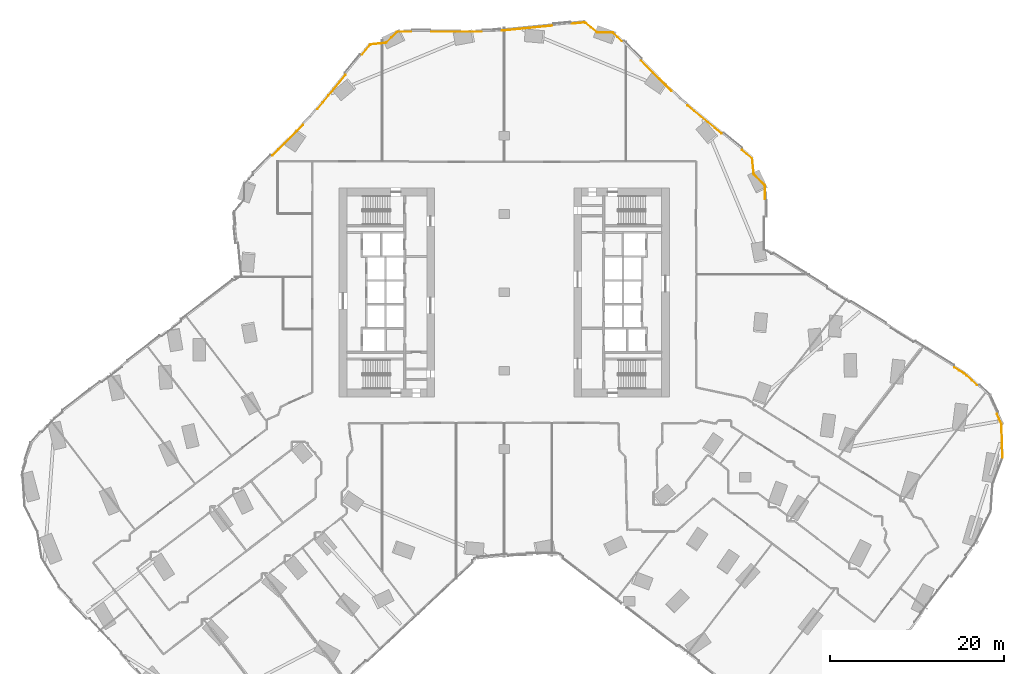
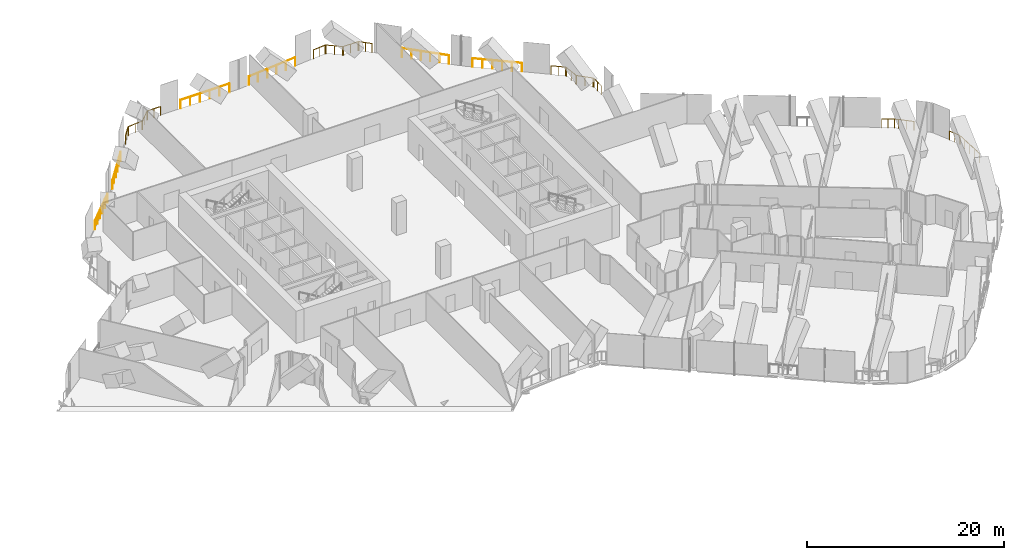
# One storey, part 32 of 32: 11 railings.
"""IFC4 building model written with IfcOpenShell, lengths in metres."""

from ifc_helpers import new_model, si_unit, direction, frame, origin, origin_2d, place, context, subcontext, project, spatial, circle, extrude, material, type_object, element, save


model = new_model("IFC4")

# Units and contexts
model_context = context("Model", 3, precision=1e-05, world=origin(), true_north=direction((0.0, 1.0)))
body_context = subcontext(model_context, "Body", "Model", "MODEL_VIEW")
ifc_project = project(units=[si_unit("LENGTHUNIT", "METRE"), si_unit("AREAUNIT", "SQUARE_METRE"), si_unit("VOLUMEUNIT", "CUBIC_METRE"), si_unit("PLANEANGLEUNIT", "RADIAN"), si_unit("MASSUNIT", "GRAM", prefix="KILO")], contexts=[model_context])

# Site, building, storey
site_placement = place(None, origin())
site = spatial("IfcSite", under=ifc_project, at=site_placement, CompositionType="ELEMENT")
building_placement = place(site_placement, origin())
building = spatial("IfcBuilding", under=site, at=building_placement, Name="Orlundy Tower", CompositionType="ELEMENT")
storey_placement = place(building_placement, frame((0.0, 0.0, 33.300048828125)))
storey = spatial("IfcBuildingStorey", under=building, at=storey_placement, Name="L06", CompositionType="ELEMENT", Elevation=33.300048828125)

# Railings
ifc_material = material(Name="Stainless steel bronze finish", Category="steel")
railing_type = type_object("IfcRailingType", Name="TG1 terrace guard", PredefinedType="GUARDRAIL", material=ifc_material)
railing_1_placement = place(storey_placement, frame((-16.348388671875, 27.317626953125, 0.0)))
element("IfcRailing", 1, at=railing_1_placement, inside=storey, type_object=railing_type, Name="Guard TG-L06-E03", PredefinedType="GUARDRAIL", context=body_context, shape_type="SweptSolid", body=[
    extrude(circle(Radius=0.02490234375, at=origin_2d()), frame((0.0, 0.0, 1.09521484375), z_axis=(0.633775329165, 0.773517182836, 0.0), x_axis=(-0.773517182836, 0.633775329165, 0.0)), (0.0, 0.0, 1.0), 1.458740234375),
    extrude(circle(Radius=0.02490234375, at=origin_2d()), frame((0.924560546875, 1.12841796875, 1.09521484375), z_axis=(0.871628316444, 0.490167397909, 0.0), x_axis=(-0.490167397909, 0.871628316444, 0.0)), (0.0, 0.0, 1.0), 0.12353515625),
    extrude(circle(Radius=0.02490234375, at=origin_2d()), frame((1.0322265625, 1.18896484375, 1.09521484375), z_axis=(0.995131761219, 0.098553426187, 0.0), x_axis=(-0.098553426187, 0.995131761219, 0.0)), (0.0, 0.0, 1.0), 1.704345703125),
    extrude(circle(Radius=0.02490234375, at=origin_2d()), frame((2.728271484375, 1.35693359375, 1.09521484375), z_axis=(0.904475632568, 0.426525298301, 0.0), x_axis=(-0.426525298301, 0.904475632568, 0.0)), (0.0, 0.0, 1.0), 0.080810546875),
    extrude(circle(Radius=0.02490234375, at=origin_2d()), frame((2.80126953125, 1.391357421875, 1.09521484375), z_axis=(0.707106781187, 0.707106781187, 0.0), x_axis=(-0.707106781187, 0.707106781187, 0.0)), (0.0, 0.0, 1.0), 1.70556640625),
    extrude(circle(Radius=0.02490234375, at=origin_2d()), frame((4.00732421875, 2.597412109375, 1.09521484375), z_axis=(0.931446876767, 0.363877336147, 0.0), x_axis=(-0.363877336147, 0.931446876767, 0.0)), (0.0, 0.0, 1.0), 0.12353515625),
    extrude(circle(Radius=0.02490234375, at=origin_2d()), frame((4.122314453125, 2.642333984375, 1.09521484375), z_axis=(1.0, 0.0, 0.0), x_axis=(0.0, 1.0, 0.0)), (0.0, 0.0, 1.0), 1.49365234375),
    extrude(circle(Radius=0.02001953125, at=origin_2d()), origin(), (0.0, 0.0, 1.0), 1.070068359375),
    extrude(circle(Radius=0.02001953125, at=origin_2d()), frame((0.46240234375, 0.564208984375, 0.0)), (0.0, 0.0, 1.0), 1.070068359375),
    extrude(circle(Radius=0.02001953125, at=origin_2d()), frame((0.924560546875, 1.12841796875, 0.0)), (0.0, 0.0, 1.0), 1.070068359375),
    extrude(circle(Radius=0.02001953125, at=origin_2d()), frame((1.0322265625, 1.18896484375, 0.0)), (0.0, 0.0, 1.0), 1.070068359375),
    extrude(circle(Radius=0.02001953125, at=origin_2d()), frame((1.88037109375, 1.27294921875, 0.0)), (0.0, 0.0, 1.0), 1.070068359375),
    extrude(circle(Radius=0.02001953125, at=origin_2d()), frame((2.728271484375, 1.35693359375, 0.0)), (0.0, 0.0, 1.0), 1.070068359375),
    extrude(circle(Radius=0.02001953125, at=origin_2d()), frame((2.80126953125, 1.391357421875, 0.0)), (0.0, 0.0, 1.0), 1.070068359375),
    extrude(circle(Radius=0.02001953125, at=origin_2d()), frame((3.404296875, 1.994384765625, 0.0)), (0.0, 0.0, 1.0), 1.070068359375),
    extrude(circle(Radius=0.02001953125, at=origin_2d()), frame((4.00732421875, 2.597412109375, 0.0)), (0.0, 0.0, 1.0), 1.070068359375),
    extrude(circle(Radius=0.02001953125, at=origin_2d()), frame((4.122314453125, 2.642333984375, 0.0)), (0.0, 0.0, 1.0), 1.070068359375),
    extrude(circle(Radius=0.02001953125, at=origin_2d()), frame((4.869140625, 2.642333984375, 0.0)), (0.0, 0.0, 1.0), 1.070068359375),
    extrude(circle(Radius=0.02001953125, at=origin_2d()), frame((5.615966796875, 2.642333984375, 0.0)), (0.0, 0.0, 1.0), 1.070068359375),
])
railing_2_placement = place(storey_placement, frame((27.317626953125, 16.348388671875, 0.0)))
element("IfcRailing", 2, at=railing_2_placement, inside=storey, type_object=railing_type, Name="Guard TG-L06-E04", PredefinedType="GUARDRAIL", context=body_context, shape_type="SweptSolid", body=[
    extrude(circle(Radius=0.02490234375, at=origin_2d()), frame((0.0, 0.0, 1.09521484375), z_axis=(0.773517182836, -0.633775329165, 0.0), x_axis=(0.633775329165, 0.773517182836, 0.0)), (0.0, 0.0, 1.0), 1.458740234375),
    extrude(circle(Radius=0.02490234375, at=origin_2d()), frame((1.12841796875, -0.924560546875, 1.09521484375), z_axis=(0.490167397909, -0.871628316444, 0.0), x_axis=(0.871628316444, 0.490167397909, 0.0)), (0.0, 0.0, 1.0), 0.12353515625),
    extrude(circle(Radius=0.02490234375, at=origin_2d()), frame((1.18896484375, -1.0322265625, 1.09521484375), z_axis=(0.098553426187, -0.995131761219, 0.0), x_axis=(0.995131761219, 0.098553426187, 0.0)), (0.0, 0.0, 1.0), 1.704345703125),
    extrude(circle(Radius=0.02490234375, at=origin_2d()), frame((1.35693359375, -2.728271484375, 1.09521484375), z_axis=(0.426525298301, -0.904475632568, 0.0), x_axis=(0.904475632568, 0.426525298301, 0.0)), (0.0, 0.0, 1.0), 0.080810546875),
    extrude(circle(Radius=0.02490234375, at=origin_2d()), frame((1.391357421875, -2.80126953125, 1.09521484375), z_axis=(0.707106781187, -0.707106781187, 0.0), x_axis=(0.707106781187, 0.707106781187, 0.0)), (0.0, 0.0, 1.0), 1.70556640625),
    extrude(circle(Radius=0.02490234375, at=origin_2d()), frame((2.597412109375, -4.00732421875, 1.09521484375), z_axis=(0.363877336147, -0.931446876767, 0.0), x_axis=(0.931446876767, 0.363877336147, 0.0)), (0.0, 0.0, 1.0), 0.12353515625),
    extrude(circle(Radius=0.02490234375, at=origin_2d()), frame((2.642333984375, -4.122314453125, 1.09521484375), z_axis=(0.0, -1.0, 0.0), x_axis=(1.0, 0.0, 0.0)), (0.0, 0.0, 1.0), 1.49365234375),
    extrude(circle(Radius=0.02001953125, at=origin_2d()), origin(), (0.0, 0.0, 1.0), 1.070068359375),
    extrude(circle(Radius=0.02001953125, at=origin_2d()), frame((0.564208984375, -0.46240234375, 0.0)), (0.0, 0.0, 1.0), 1.070068359375),
    extrude(circle(Radius=0.02001953125, at=origin_2d()), frame((1.12841796875, -0.924560546875, 0.0)), (0.0, 0.0, 1.0), 1.070068359375),
    extrude(circle(Radius=0.02001953125, at=origin_2d()), frame((1.18896484375, -1.0322265625, 0.0)), (0.0, 0.0, 1.0), 1.070068359375),
    extrude(circle(Radius=0.02001953125, at=origin_2d()), frame((1.27294921875, -1.88037109375, 0.0)), (0.0, 0.0, 1.0), 1.070068359375),
    extrude(circle(Radius=0.02001953125, at=origin_2d()), frame((1.35693359375, -2.728271484375, 0.0)), (0.0, 0.0, 1.0), 1.070068359375),
    extrude(circle(Radius=0.02001953125, at=origin_2d()), frame((1.391357421875, -2.80126953125, 0.0)), (0.0, 0.0, 1.0), 1.070068359375),
    extrude(circle(Radius=0.02001953125, at=origin_2d()), frame((1.994384765625, -3.404296875, 0.0)), (0.0, 0.0, 1.0), 1.070068359375),
    extrude(circle(Radius=0.02001953125, at=origin_2d()), frame((2.597412109375, -4.00732421875, 0.0)), (0.0, 0.0, 1.0), 1.070068359375),
    extrude(circle(Radius=0.02001953125, at=origin_2d()), frame((2.642333984375, -4.122314453125, 0.0)), (0.0, 0.0, 1.0), 1.070068359375),
    extrude(circle(Radius=0.02001953125, at=origin_2d()), frame((2.642333984375, -4.869140625, 0.0)), (0.0, 0.0, 1.0), 1.070068359375),
    extrude(circle(Radius=0.02001953125, at=origin_2d()), frame((2.642333984375, -5.615966796875, 0.0)), (0.0, 0.0, 1.0), 1.070068359375),
])
railing_3_placement = place(storey_placement, frame((7.79052734375, 30.8798828125, 0.0)))
element("IfcRailing", 3, at=railing_3_placement, inside=storey, type_object=railing_type, Name="Guard TG-L06-E07", PredefinedType="GUARDRAIL", context=body_context, shape_type="SweptSolid", body=[
    extrude(circle(Radius=0.02490234375, at=origin_2d()), frame((0.0, 0.0, 1.09521484375), z_axis=(0.995114944758, 0.098723080982, 0.0), x_axis=(-0.098723080982, 0.995114944758, 0.0)), (0.0, 0.0, 1.0), 1.424560546875),
    extrude(circle(Radius=0.02490234375, at=origin_2d()), frame((1.41748046875, 0.140625, 1.09521484375), z_axis=(0.963148654267, -0.268969644724, 0.0), x_axis=(0.268969644724, 0.963148654267, 0.0)), (0.0, 0.0, 1.0), 0.12353515625),
    extrude(circle(Radius=0.02490234375, at=origin_2d()), frame((1.536376953125, 0.107421875, 1.09521484375), z_axis=(0.773491121757, -0.633807135146, 0.0), x_axis=(0.633807135146, 0.773491121757, 0.0)), (0.0, 0.0, 1.0), 1.7041015625),
    extrude(circle(Radius=0.02490234375, at=origin_2d()), frame((2.8544921875, -0.97265625, 1.09521484375), z_axis=(0.940848840421, -0.338826592049, 0.0), x_axis=(0.338826592049, 0.940848840421, 0.0)), (0.0, 0.0, 1.0), 0.080810546875),
    extrude(circle(Radius=0.02490234375, at=origin_2d()), frame((2.930419921875, -1.0, 1.09521484375), z_axis=(1.0, 0.0, 0.0), x_axis=(0.0, 1.0, 0.0)), (0.0, 0.0, 1.0), 1.705078125),
    extrude(circle(Radius=0.02490234375, at=origin_2d()), frame((4.635498046875, -1.0, 1.09521484375), z_axis=(0.91583926114, -0.401545075619, 0.0), x_axis=(0.401545075619, 0.91583926114, 0.0)), (0.0, 0.0, 1.0), 0.12353515625),
    extrude(circle(Radius=0.02490234375, at=origin_2d()), frame((4.74853515625, -1.049560546875, 1.09521484375), z_axis=(0.707106781187, -0.707106781187, 0.0), x_axis=(0.707106781187, 0.707106781187, 0.0)), (0.0, 0.0, 1.0), 1.3720703125),
    extrude(circle(Radius=0.02001953125, at=origin_2d()), origin(), (0.0, 0.0, 1.0), 1.070068359375),
    extrude(circle(Radius=0.02001953125, at=origin_2d()), frame((0.708740234375, 0.0703125, 0.0)), (0.0, 0.0, 1.0), 1.070068359375),
    extrude(circle(Radius=0.02001953125, at=origin_2d()), frame((1.41748046875, 0.140625, 0.0)), (0.0, 0.0, 1.0), 1.070068359375),
    extrude(circle(Radius=0.02001953125, at=origin_2d()), frame((1.536376953125, 0.107421875, 0.0)), (0.0, 0.0, 1.0), 1.070068359375),
    extrude(circle(Radius=0.02001953125, at=origin_2d()), frame((2.1953125, -0.4326171875, 0.0)), (0.0, 0.0, 1.0), 1.070068359375),
    extrude(circle(Radius=0.02001953125, at=origin_2d()), frame((2.8544921875, -0.97265625, 0.0)), (0.0, 0.0, 1.0), 1.070068359375),
    extrude(circle(Radius=0.02001953125, at=origin_2d()), frame((2.930419921875, -1.0, 0.0)), (0.0, 0.0, 1.0), 1.070068359375),
    extrude(circle(Radius=0.02001953125, at=origin_2d()), frame((3.782958984375, -1.0, 0.0)), (0.0, 0.0, 1.0), 1.070068359375),
    extrude(circle(Radius=0.02001953125, at=origin_2d()), frame((4.635498046875, -1.0, 0.0)), (0.0, 0.0, 1.0), 1.070068359375),
    extrude(circle(Radius=0.02001953125, at=origin_2d()), frame((4.74853515625, -1.049560546875, 0.0)), (0.0, 0.0, 1.0), 1.070068359375),
    extrude(circle(Radius=0.02001953125, at=origin_2d()), frame((5.233642578125, -1.53466796875, 0.0)), (0.0, 0.0, 1.0), 1.070068359375),
    extrude(circle(Radius=0.02001953125, at=origin_2d()), frame((5.71875, -2.019775390625, 0.0)), (0.0, 0.0, 1.0), 1.070068359375),
])
railing_4_placement = place(storey_placement, frame((-0.2734375, 30.07958984375, 0.0)))
element("IfcRailing", 4, at=railing_4_placement, inside=storey, type_object=railing_type, Name="Guard TG-L06-E012", PredefinedType="GUARDRAIL", context=body_context, shape_type="SweptSolid", body=[
    extrude(circle(Radius=0.02490234375, at=origin_2d()), frame((0.0, 0.0, 1.09521484375), z_axis=(0.995111738647, 0.098755392797, 0.0), x_axis=(-0.098755392797, 0.995111738647, 0.0)), (0.0, 0.0, 1.0), 5.814453125),
    extrude(circle(Radius=0.02001953125, at=origin_2d()), origin(), (0.0, 0.0, 1.0), 1.070068359375),
    extrude(circle(Radius=0.02001953125, at=origin_2d()), frame((1.1572265625, 0.11474609375, 0.0)), (0.0, 0.0, 1.0), 1.070068359375),
    extrude(circle(Radius=0.02001953125, at=origin_2d()), frame((2.314453125, 0.229736328125, 0.0)), (0.0, 0.0, 1.0), 1.070068359375),
    extrude(circle(Radius=0.02001953125, at=origin_2d()), frame((3.4716796875, 0.344482421875, 0.0)), (0.0, 0.0, 1.0), 1.070068359375),
    extrude(circle(Radius=0.02001953125, at=origin_2d()), frame((4.62890625, 0.45947265625, 0.0)), (0.0, 0.0, 1.0), 1.070068359375),
    extrude(circle(Radius=0.02001953125, at=origin_2d()), frame((5.7861328125, 0.57421875, 0.0)), (0.0, 0.0, 1.0), 1.070068359375),
])
railing_5_placement = place(storey_placement, frame((-8.372802734375, 29.9599609375, 0.0)))
element("IfcRailing", 5, at=railing_5_placement, inside=storey, type_object=railing_type, Name="Guard TG-L06-E013", PredefinedType="GUARDRAIL", context=body_context, shape_type="SweptSolid", body=[
    extrude(circle(Radius=0.02490234375, at=origin_2d()), frame((0.0, 0.0, 1.09521484375), z_axis=(1.0, 0.0, 0.0), x_axis=(0.0, 1.0, 0.0)), (0.0, 0.0, 1.0), 5.74462890625),
    extrude(circle(Radius=0.02001953125, at=origin_2d()), origin(), (0.0, 0.0, 1.0), 1.070068359375),
    extrude(circle(Radius=0.02001953125, at=origin_2d()), frame((1.14892578125, 0.0, 0.0)), (0.0, 0.0, 1.0), 1.070068359375),
    extrude(circle(Radius=0.02001953125, at=origin_2d()), frame((2.2978515625, 0.0, 0.0)), (0.0, 0.0, 1.0), 1.070068359375),
    extrude(circle(Radius=0.02001953125, at=origin_2d()), frame((3.44677734375, 0.0, 0.0)), (0.0, 0.0, 1.0), 1.070068359375),
    extrude(circle(Radius=0.02001953125, at=origin_2d()), frame((4.595703125, 0.0, 0.0)), (0.0, 0.0, 1.0), 1.070068359375),
    extrude(circle(Radius=0.02001953125, at=origin_2d()), frame((5.74462890625, 0.0, 0.0)), (0.0, 0.0, 1.0), 1.070068359375),
])
railing_6_placement = place(storey_placement, frame((56.62255859375, -13.962890625, 0.0)))
element("IfcRailing", 6, at=railing_6_placement, inside=storey, type_object=railing_type, Name="Guard TG-L06-E015", PredefinedType="GUARDRAIL", context=body_context, shape_type="SweptSolid", body=[
    extrude(circle(Radius=0.02490234375, at=origin_2d()), frame((0.0, 0.0, 1.09521484375), z_axis=(0.413383969291, -0.910556804342, 0.0), x_axis=(0.910556804342, 0.413383969291, 0.0)), (0.0, 0.0, 1.0), 1.273193359375),
    extrude(circle(Radius=0.02490234375, at=origin_2d()), frame((0.5263671875, -1.159423828125, 1.09521484375), z_axis=(0.031747128788, -0.999495932865, 0.0), x_axis=(0.999495932865, 0.031747128788, 0.0)), (0.0, 0.0, 1.0), 3.852783203125),
    extrude(circle(Radius=0.02001953125, at=origin_2d()), origin(), (0.0, 0.0, 1.0), 1.070068359375),
    extrude(circle(Radius=0.02001953125, at=origin_2d()), frame((0.26318359375, -0.57958984375, 0.0)), (0.0, 0.0, 1.0), 1.070068359375),
    extrude(circle(Radius=0.02001953125, at=origin_2d()), frame((0.5263671875, -1.159423828125, 0.0)), (0.0, 0.0, 1.0), 1.070068359375),
    extrude(circle(Radius=0.02001953125, at=origin_2d()), frame((0.556884765625, -2.1220703125, 0.0)), (0.0, 0.0, 1.0), 1.070068359375),
    extrude(circle(Radius=0.02001953125, at=origin_2d()), frame((0.58740234375, -3.0849609375, 0.0)), (0.0, 0.0, 1.0), 1.070068359375),
    extrude(circle(Radius=0.02001953125, at=origin_2d()), frame((0.6181640625, -4.047607421875, 0.0)), (0.0, 0.0, 1.0), 1.070068359375),
    extrude(circle(Radius=0.02001953125, at=origin_2d()), frame((0.648681640625, -5.01025390625, 0.0)), (0.0, 0.0, 1.0), 1.070068359375),
])
railing_7_placement = place(storey_placement, frame((-21.4794921875, 21.055908203125, 0.0)))
element("IfcRailing", 7, at=railing_7_placement, inside=storey, type_object=railing_type, Name="Guard TG-L06-E016", PredefinedType="GUARDRAIL", context=body_context, shape_type="SweptSolid", body=[
    extrude(circle(Radius=0.02490234375, at=origin_2d()), frame((0.0, 0.0, 1.09521484375), z_axis=(0.633832203413, 0.773470579865, 0.0), x_axis=(-0.773470579865, 0.633832203413, 0.0)), (0.0, 0.0, 1.0), 5.075439453125),
    extrude(circle(Radius=0.02001953125, at=origin_2d()), origin(), (0.0, 0.0, 1.0), 1.070068359375),
    extrude(circle(Radius=0.02001953125, at=origin_2d()), frame((0.643310546875, 0.78515625, 0.0)), (0.0, 0.0, 1.0), 1.070068359375),
    extrude(circle(Radius=0.02001953125, at=origin_2d()), frame((1.286865234375, 1.5703125, 0.0)), (0.0, 0.0, 1.0), 1.070068359375),
    extrude(circle(Radius=0.02001953125, at=origin_2d()), frame((1.93017578125, 2.35546875, 0.0)), (0.0, 0.0, 1.0), 1.070068359375),
    extrude(circle(Radius=0.02001953125, at=origin_2d()), frame((2.57373046875, 3.140625, 0.0)), (0.0, 0.0, 1.0), 1.070068359375),
    extrude(circle(Radius=0.02001953125, at=origin_2d()), frame((3.217041015625, 3.92578125, 0.0)), (0.0, 0.0, 1.0), 1.070068359375),
])
railing_8_placement = place(storey_placement, frame((21.055908203125, 21.4794921875, 0.0)))
element("IfcRailing", 8, at=railing_8_placement, inside=storey, type_object=railing_type, Name="Guard TG-L06-E017", PredefinedType="GUARDRAIL", context=body_context, shape_type="SweptSolid", body=[
    extrude(circle(Radius=0.02490234375, at=origin_2d()), frame((0.0, 0.0, 1.09521484375), z_axis=(0.773470579865, -0.633832203413, 0.0), x_axis=(0.633832203413, 0.773470579865, 0.0)), (0.0, 0.0, 1.0), 5.075439453125),
    extrude(circle(Radius=0.02001953125, at=origin_2d()), origin(), (0.0, 0.0, 1.0), 1.070068359375),
    extrude(circle(Radius=0.02001953125, at=origin_2d()), frame((0.78515625, -0.643310546875, 0.0)), (0.0, 0.0, 1.0), 1.070068359375),
    extrude(circle(Radius=0.02001953125, at=origin_2d()), frame((1.5703125, -1.286865234375, 0.0)), (0.0, 0.0, 1.0), 1.070068359375),
    extrude(circle(Radius=0.02001953125, at=origin_2d()), frame((2.35546875, -1.93017578125, 0.0)), (0.0, 0.0, 1.0), 1.070068359375),
    extrude(circle(Radius=0.02001953125, at=origin_2d()), frame((3.140625, -2.57373046875, 0.0)), (0.0, 0.0, 1.0), 1.070068359375),
    extrude(circle(Radius=0.02001953125, at=origin_2d()), frame((3.92578125, -3.217041015625, 0.0)), (0.0, 0.0, 1.0), 1.070068359375),
])
railing_9_placement = place(storey_placement, frame((-26.62939453125, 15.739990234375, 0.0)))
element("IfcRailing", 9, at=railing_9_placement, inside=storey, type_object=railing_type, Name="Guard TG-L06-E018", PredefinedType="GUARDRAIL", context=body_context, shape_type="SweptSolid", body=[
    extrude(circle(Radius=0.02490234375, at=origin_2d()), frame((0.0, 0.0, 1.09521484375), z_axis=(0.707106781187, 0.707106781187, 0.0), x_axis=(-0.707106781187, 0.707106781187, 0.0)), (0.0, 0.0, 1.0), 4.943115234375),
    extrude(circle(Radius=0.02001953125, at=origin_2d()), origin(), (0.0, 0.0, 1.0), 1.070068359375),
    extrude(circle(Radius=0.02001953125, at=origin_2d()), frame((0.698974609375, 0.698974609375, 0.0)), (0.0, 0.0, 1.0), 1.070068359375),
    extrude(circle(Radius=0.02001953125, at=origin_2d()), frame((1.398193359375, 1.398193359375, 0.0)), (0.0, 0.0, 1.0), 1.070068359375),
    extrude(circle(Radius=0.02001953125, at=origin_2d()), frame((2.09716796875, 2.09716796875, 0.0)), (0.0, 0.0, 1.0), 1.070068359375),
    extrude(circle(Radius=0.02001953125, at=origin_2d()), frame((2.79638671875, 2.79638671875, 0.0)), (0.0, 0.0, 1.0), 1.070068359375),
    extrude(circle(Radius=0.02001953125, at=origin_2d()), frame((3.495361328125, 3.495361328125, 0.0)), (0.0, 0.0, 1.0), 1.070068359375),
])
railing_10_placement = place(storey_placement, frame((15.739990234375, 26.62939453125, 0.0)))
element("IfcRailing", 10, at=railing_10_placement, inside=storey, type_object=railing_type, Name="Guard TG-L06-E019", PredefinedType="GUARDRAIL", context=body_context, shape_type="SweptSolid", body=[
    extrude(circle(Radius=0.02490234375, at=origin_2d()), frame((0.0, 0.0, 1.09521484375), z_axis=(0.707106781187, -0.707106781187, 0.0), x_axis=(0.707106781187, 0.707106781187, 0.0)), (0.0, 0.0, 1.0), 4.943115234375),
    extrude(circle(Radius=0.02001953125, at=origin_2d()), origin(), (0.0, 0.0, 1.0), 1.070068359375),
    extrude(circle(Radius=0.02001953125, at=origin_2d()), frame((0.698974609375, -0.698974609375, 0.0)), (0.0, 0.0, 1.0), 1.070068359375),
    extrude(circle(Radius=0.02001953125, at=origin_2d()), frame((1.398193359375, -1.398193359375, 0.0)), (0.0, 0.0, 1.0), 1.070068359375),
    extrude(circle(Radius=0.02001953125, at=origin_2d()), frame((2.09716796875, -2.09716796875, 0.0)), (0.0, 0.0, 1.0), 1.070068359375),
    extrude(circle(Radius=0.02001953125, at=origin_2d()), frame((2.79638671875, -2.79638671875, 0.0)), (0.0, 0.0, 1.0), 1.070068359375),
    extrude(circle(Radius=0.02001953125, at=origin_2d()), frame((3.495361328125, -3.495361328125, 0.0)), (0.0, 0.0, 1.0), 1.070068359375),
])
railing_11_placement = place(storey_placement, frame((51.72900390625, -8.62158203125, 0.0)))
element("IfcRailing", 11, at=railing_11_placement, inside=storey, type_object=railing_type, Name="Guard TG-L06-E026", PredefinedType="GUARDRAIL", context=body_context, shape_type="SweptSolid", body=[
    extrude(circle(Radius=0.02490234375, at=origin_2d()), frame((0.0, 0.0, 1.09521484375), z_axis=(0.849530235893, -0.52753993053, 0.0), x_axis=(0.52753993053, 0.849530235893, 0.0)), (0.0, 0.0, 1.0), 1.30419921875),
    extrude(circle(Radius=0.02490234375, at=origin_2d()), frame((1.10791015625, -0.68798828125, 1.09521484375), z_axis=(0.793878146002, -0.608076877788, 0.0), x_axis=(0.608076877788, 0.793878146002, 0.0)), (0.0, 0.0, 1.0), 0.39013671875),
    extrude(circle(Radius=0.02490234375, at=origin_2d()), frame((1.417724609375, -0.92529296875, 1.09521484375), z_axis=(0.73044698257, -0.682969403162, 0.0), x_axis=(0.682969403162, 0.73044698257, 0.0)), (0.0, 0.0, 1.0), 1.65576171875),
    extrude(circle(Radius=0.02001953125, at=origin_2d()), origin(), (0.0, 0.0, 1.0), 1.070068359375),
    extrude(circle(Radius=0.02001953125, at=origin_2d()), frame((0.553955078125, -0.343994140625, 0.0)), (0.0, 0.0, 1.0), 1.070068359375),
    extrude(circle(Radius=0.02001953125, at=origin_2d()), frame((1.10791015625, -0.68798828125, 0.0)), (0.0, 0.0, 1.0), 1.070068359375),
    extrude(circle(Radius=0.02001953125, at=origin_2d()), frame((1.417724609375, -0.92529296875, 0.0)), (0.0, 0.0, 1.0), 1.070068359375),
    extrude(circle(Radius=0.02001953125, at=origin_2d()), frame((2.0224609375, -1.49072265625, 0.0)), (0.0, 0.0, 1.0), 1.070068359375),
    extrude(circle(Radius=0.02001953125, at=origin_2d()), frame((2.627197265625, -2.05615234375, 0.0)), (0.0, 0.0, 1.0), 1.070068359375),
])

save(model, "model.ifc")
